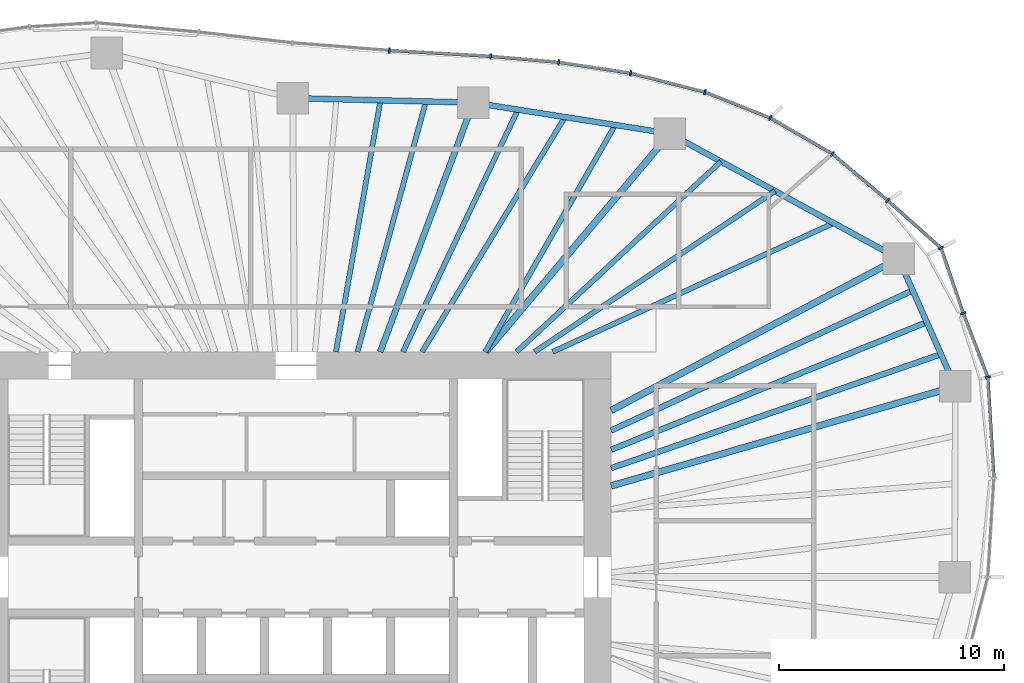
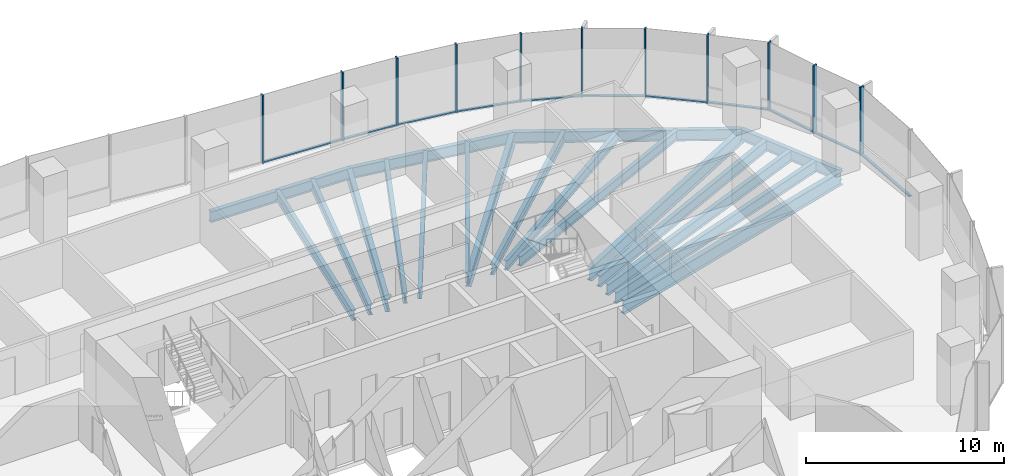
# One storey, part 6 of 18: 22 members, 19 beams, 5 elements without a shape of their own.
"""IFC4 building model written with IfcOpenShell, lengths in metres."""

from ifc_helpers import new_model, si_unit, direction, frame, origin, origin_2d, place, context, subcontext, project, spatial, rectangle, i_section, extrude, material, material_profile, profile_set, type_object, element, aggregate, save


model = new_model("IFC4")

# Units and contexts
model_context = context("Model", 3, precision=1e-05, world=origin(), true_north=direction((0.0, 1.0)))
body_context = subcontext(model_context, "Body", "Model", "MODEL_VIEW")
ifc_project = project(units=[si_unit("LENGTHUNIT", "METRE"), si_unit("AREAUNIT", "SQUARE_METRE"), si_unit("VOLUMEUNIT", "CUBIC_METRE"), si_unit("PLANEANGLEUNIT", "RADIAN"), si_unit("MASSUNIT", "GRAM", prefix="KILO")], contexts=[model_context])

# Site, building, storey
site_placement = place(None, origin())
site = spatial("IfcSite", under=ifc_project, at=site_placement, CompositionType="ELEMENT")
building_placement = place(site_placement, origin())
building = spatial("IfcBuilding", under=site, at=building_placement, Name="Ghaith Harvest Tower", CompositionType="ELEMENT")
storey_placement = place(building_placement, frame((0.0, 0.0, 176.39990234375)))
storey = spatial("IfcBuildingStorey", under=building, at=storey_placement, Name="L38", CompositionType="ELEMENT", Elevation=176.39990234375)

# Curtain wall, members
ifc_material_1 = material(Name="Black anodised aluminium and fritted glass", Category="aluminium")
curtain_wall_type = type_object("IfcCurtainWallType", Name="CW-L CURTAIN WALL", PredefinedType="NOTDEFINED", material=ifc_material_1)
curtain_wall_1_placement = place(storey_placement, origin())
curtain_wall_1 = element("IfcCurtainWall", 1, at=curtain_wall_1_placement, inside=storey, type_object=curtain_wall_type, Name="Curtain wall CW-L bay 02 L38", PredefinedType="NOTDEFINED")
ifc_material_2 = material(Name="Aluminium, black anodised", Category="aluminium")
ifc_material_profile_1 = material_profile(ifc_material_2, rectangle(XDim=0.080078125, YDim=0.239990234375, at=origin_2d()), Name="CW-L MULLION 80x240")
ifc_profile_set_1 = profile_set([ifc_material_profile_1], Name="Aluminium, black anodised")
member_type_1 = type_object("IfcMemberType", Name="CW-L MULLION 80x240", PredefinedType="MULLION", material=ifc_profile_set_1)
member_1_placement = place(storey_placement, frame((30.727294921875, 8.880859375, 0.0), z_axis=(0.0, 0.0, 1.0), x_axis=(-0.183070248196, 0.983099834313, 0.0)))
member_1 = element("IfcMember", 2, at=member_1_placement, type_object=member_type_1, Name="CW-L mullion 1 bay 02 L38", PredefinedType="MULLION", context=body_context, shape_type="SweptSolid", body=[
    extrude(rectangle(XDim=0.080078125, YDim=0.239990234375, at=origin_2d()), origin(), (0.0, 0.0, 1.0), 4.2001953125),
])
member_2_placement = place(storey_placement, frame((29.634521484375, 11.7158203125, 0.0), z_axis=(0.0, 0.0, 1.0), x_axis=(-0.340771198528, 0.940146260033, 0.0)))
member_2 = element("IfcMember", 3, at=member_2_placement, type_object=member_type_1, Name="CW-L mullion 2 bay 02 L38", PredefinedType="MULLION", context=body_context, shape_type="SweptSolid", body=[
    extrude(rectangle(XDim=0.080078125, YDim=0.239990234375, at=origin_2d()), origin(), (0.0, 0.0, 1.0), 4.2001953125),
])
member_3_placement = place(storey_placement, frame((28.64990234375, 14.61181640625, 0.0), z_axis=(0.0, 0.0, 1.0), x_axis=(-0.556324287652, 0.830965274225, 0.0)))
member_3 = element("IfcMember", 4, at=member_3_placement, type_object=member_type_1, Name="CW-L mullion 3 bay 02 L38", PredefinedType="MULLION", context=body_context, shape_type="SweptSolid", body=[
    extrude(rectangle(XDim=0.080078125, YDim=0.239990234375, at=origin_2d()), origin(), (0.0, 0.0, 1.0), 4.2001953125),
])

curtain_wall_2_placement = place(storey_placement, origin())
curtain_wall_2 = element("IfcCurtainWall", 5, at=curtain_wall_2_placement, inside=storey, type_object=curtain_wall_type, Name="Curtain wall CW-L bay 03 L38", PredefinedType="NOTDEFINED")
member_4_placement = place(storey_placement, frame((26.28076171875, 16.725341796875, 0.0), z_axis=(0.0, 0.0, 1.0), x_axis=(-0.755999423268, 0.654572281737, 0.0)))
member_4 = element("IfcMember", 6, at=member_4_placement, type_object=member_type_1, Name="CW-L mullion 1 bay 03 L38", PredefinedType="MULLION", context=body_context, shape_type="SweptSolid", body=[
    extrude(rectangle(XDim=0.080078125, YDim=0.239990234375, at=origin_2d()), origin(), (0.0, 0.0, 1.0), 4.2001953125),
])
member_5_placement = place(storey_placement, frame((23.82177734375, 18.792236328125, 0.0), z_axis=(0.0, 0.0, 1.0), x_axis=(-0.818228862146, 0.574892624018, 0.0)))
member_5 = element("IfcMember", 7, at=member_5_placement, type_object=member_type_1, Name="CW-L mullion 2 bay 03 L38", PredefinedType="MULLION", context=body_context, shape_type="SweptSolid", body=[
    extrude(rectangle(XDim=0.080078125, YDim=0.239990234375, at=origin_2d()), origin(), (0.0, 0.0, 1.0), 4.2001953125),
])
member_6_placement = place(storey_placement, frame((21.066162109375, 20.38916015625, 0.0), z_axis=(0.0, 0.0, 1.0), x_axis=(-0.899713343282, 0.436481270985, 0.0)))
member_6 = element("IfcMember", 8, at=member_6_placement, type_object=member_type_1, Name="CW-L mullion 3 bay 03 L38", PredefinedType="MULLION", context=body_context, shape_type="SweptSolid", body=[
    extrude(rectangle(XDim=0.080078125, YDim=0.239990234375, at=origin_2d()), origin(), (0.0, 0.0, 1.0), 4.2001953125),
])

curtain_wall_3_placement = place(storey_placement, origin())
curtain_wall_3 = element("IfcCurtainWall", 9, at=curtain_wall_3_placement, inside=storey, type_object=curtain_wall_type, Name="Curtain wall CW-L bay 04 L38", PredefinedType="NOTDEFINED")
member_7_placement = place(storey_placement, frame((18.162353515625, 21.537841796875, 0.0), z_axis=(0.0, 0.0, 1.0), x_axis=(-0.952152258113, 0.30562407852, 0.0)))
member_7 = element("IfcMember", 10, at=member_7_placement, type_object=member_type_1, Name="CW-L mullion 1 bay 04 L38", PredefinedType="MULLION", context=body_context, shape_type="SweptSolid", body=[
    extrude(rectangle(XDim=0.080078125, YDim=0.239990234375, at=origin_2d()), origin(), (0.0, 0.0, 1.0), 4.2001953125),
])
member_8_placement = place(storey_placement, frame((14.86474609375, 22.379638671875, 0.0), z_axis=(0.0, 0.0, 1.0), x_axis=(-0.979751952122, 0.200215165041, 0.0)))
member_8 = element("IfcMember", 11, at=member_8_placement, type_object=member_type_1, Name="CW-L mullion 2 bay 04 L38", PredefinedType="MULLION", context=body_context, shape_type="SweptSolid", body=[
    extrude(rectangle(XDim=0.080078125, YDim=0.239990234375, at=origin_2d()), origin(), (0.0, 0.0, 1.0), 4.2001953125),
])
member_9_placement = place(storey_placement, frame((11.672607421875, 22.864013671875, 0.0), z_axis=(0.0, 0.0, 1.0), x_axis=(-0.992800497873, 0.119779678673, 0.0)))
member_9 = element("IfcMember", 12, at=member_9_placement, type_object=member_type_1, Name="CW-L mullion 3 bay 04 L38", PredefinedType="MULLION", context=body_context, shape_type="SweptSolid", body=[
    extrude(rectangle(XDim=0.080078125, YDim=0.239990234375, at=origin_2d()), origin(), (0.0, 0.0, 1.0), 4.2001953125),
])

curtain_wall_4_placement = place(storey_placement, origin())
curtain_wall_4 = element("IfcCurtainWall", 13, at=curtain_wall_4_placement, inside=storey, type_object=curtain_wall_type, Name="Curtain wall CW-L bay 05 L38", PredefinedType="NOTDEFINED")
member_10_placement = place(storey_placement, frame((8.646728515625, 23.1298828125, 0.0), z_axis=(0.0, 0.0, 1.0), x_axis=(-0.997558767319, 0.069831982257, 0.0)))
member_10 = element("IfcMember", 14, at=member_10_placement, type_object=member_type_1, Name="CW-L mullion 1 bay 05 L38", PredefinedType="MULLION", context=body_context, shape_type="SweptSolid", body=[
    extrude(rectangle(XDim=0.080078125, YDim=0.239990234375, at=origin_2d()), origin(), (0.0, 0.0, 1.0), 4.2001953125),
])
member_11_placement = place(storey_placement, frame((4.146728515625, 23.390869140625, 0.0), z_axis=(0.0, 0.0, 1.0), x_axis=(-0.997689895047, 0.067932858925, 0.0)))
member_11 = element("IfcMember", 15, at=member_11_placement, type_object=member_type_1, Name="CW-L mullion 2 bay 05 L38", PredefinedType="MULLION", context=body_context, shape_type="SweptSolid", body=[
    extrude(rectangle(XDim=0.080078125, YDim=0.239990234375, at=origin_2d()), origin(), (0.0, 0.0, 1.0), 4.2001953125),
])

# Curtain wall, member
curtain_wall_5_placement = place(storey_placement, origin())
curtain_wall_5 = element("IfcCurtainWall", 16, at=curtain_wall_5_placement, inside=storey, type_object=curtain_wall_type, Name="Curtain wall CW-L bay 01 L38", PredefinedType="NOTDEFINED")
ifc_material_3 = material(Name="Aluminium, black anodised", Category="aluminium")
ifc_material_profile_2 = material_profile(ifc_material_3, rectangle(XDim=0.14990234375, YDim=0.080078125, at=origin_2d()), Name="CW-L TRANSOM 150x80")
ifc_profile_set_2 = profile_set([ifc_material_profile_2], Name="Aluminium, black anodised")
member_type_2 = type_object("IfcMemberType", Name="CW-L TRANSOM 150x80", PredefinedType="USERDEFINED", material=ifc_profile_set_2)
member_12_placement = place(storey_placement, frame((30.996337890625, 4.4296875, 0.0400390625), z_axis=(-0.060328261132, 0.99817859169, 0.0), x_axis=(-0.99817859169, -0.060328261132, 0.0)))
member_12 = element("IfcMember", 17, at=member_12_placement, type_object=member_type_2, Name="CW-L transom 2 bay 01 L38", ObjectType="TRANSOM", PredefinedType="USERDEFINED", context=body_context, shape_type="SweptSolid", body=[
    extrude(rectangle(XDim=0.14990234375, YDim=0.080078125, at=origin_2d()), origin(), (0.0, 0.0, 1.0), 4.419189453125),
])
aggregate(curtain_wall_5, [member_12])

# Member
member_13_placement = place(storey_placement, frame((30.712890625, 8.918212890625, 0.0400390625), z_axis=(-0.359637050526, 0.933092274048, 0.0), x_axis=(-0.933092274048, -0.359637050526, 0.0)))
member_13 = element("IfcMember", 18, at=member_13_placement, type_object=member_type_2, Name="CW-L transom 1 bay 02 L38", ObjectType="TRANSOM", PredefinedType="USERDEFINED", context=body_context, shape_type="SweptSolid", body=[
    extrude(rectangle(XDim=0.14990234375, YDim=0.080078125, at=origin_2d()), origin(), (0.0, 0.0, 1.0), 2.95849609375),
])

member_14_placement = place(storey_placement, frame((29.62158203125, 11.75390625, 0.0400390625), z_axis=(-0.321877752664, 0.946781237847, 0.0), x_axis=(-0.946781237847, -0.321877752664, 0.0)))
member_14 = element("IfcMember", 19, at=member_14_placement, type_object=member_type_2, Name="CW-L transom 2 bay 02 L38", ObjectType="TRANSOM", PredefinedType="USERDEFINED", context=body_context, shape_type="SweptSolid", body=[
    extrude(rectangle(XDim=0.14990234375, YDim=0.080078125, at=origin_2d()), origin(), (0.0, 0.0, 1.0), 2.978515625),
])

member_15_placement = place(storey_placement, frame((28.6201171875, 14.638427734375, 0.0400390625), z_axis=(-0.74622871112, 0.665689650438, 0.0), x_axis=(-0.665689650438, -0.74622871112, 0.0)))
member_15 = element("IfcMember", 20, at=member_15_placement, type_object=member_type_2, Name="CW-L transom 3 bay 02 L38", ObjectType="TRANSOM", PredefinedType="USERDEFINED", context=body_context, shape_type="SweptSolid", body=[
    extrude(rectangle(XDim=0.14990234375, YDim=0.080078125, at=origin_2d()), origin(), (0.0, 0.0, 1.0), 3.094970703125),
])

aggregate(curtain_wall_1, [member_1, member_13, member_2, member_14, member_3, member_15])

member_16_placement = place(storey_placement, frame((26.25, 16.7509765625, 0.0400390625), z_axis=(-0.765428400685, 0.643521066808, 0.0), x_axis=(-0.643521066808, -0.765428400685, 0.0)))
member_16 = element("IfcMember", 21, at=member_16_placement, type_object=member_type_2, Name="CW-L transom 1 bay 03 L38", ObjectType="TRANSOM", PredefinedType="USERDEFINED", context=body_context, shape_type="SweptSolid", body=[
    extrude(rectangle(XDim=0.14990234375, YDim=0.080078125, at=origin_2d()), origin(), (0.0, 0.0, 1.0), 3.132080078125),
])

member_17_placement = place(storey_placement, frame((23.787353515625, 18.812255859375, 0.0400390625), z_axis=(-0.865212673937, 0.50140505468, 0.0), x_axis=(-0.50140505468, -0.865212673937, 0.0)))
member_17 = element("IfcMember", 22, at=member_17_placement, type_object=member_type_2, Name="CW-L transom 2 bay 03 L38", ObjectType="TRANSOM", PredefinedType="USERDEFINED", context=body_context, shape_type="SweptSolid", body=[
    extrude(rectangle(XDim=0.14990234375, YDim=0.080078125, at=origin_2d()), origin(), (0.0, 0.0, 1.0), 3.10498046875),
])

member_18_placement = place(storey_placement, frame((21.029052734375, 20.40380859375, 0.0400390625), z_axis=(-0.929880954826, 0.367860584804, 0.0), x_axis=(-0.367860584804, -0.929880954826, 0.0)))
member_18 = element("IfcMember", 23, at=member_18_placement, type_object=member_type_2, Name="CW-L transom 3 bay 03 L38", ObjectType="TRANSOM", PredefinedType="USERDEFINED", context=body_context, shape_type="SweptSolid", body=[
    extrude(rectangle(XDim=0.14990234375, YDim=0.080078125, at=origin_2d()), origin(), (0.0, 0.0, 1.0), 3.04296875),
])

aggregate(curtain_wall_2, [member_4, member_16, member_5, member_17, member_6, member_18])

member_19_placement = place(storey_placement, frame((18.12353515625, 21.5478515625, 0.0400390625), z_axis=(-0.968942433805, 0.247286392614, 0.0), x_axis=(-0.247286392614, -0.968942433805, 0.0)))
member_19 = element("IfcMember", 24, at=member_19_placement, type_object=member_type_2, Name="CW-L transom 1 bay 04 L38", ObjectType="TRANSOM", PredefinedType="USERDEFINED", context=body_context, shape_type="SweptSolid", body=[
    extrude(rectangle(XDim=0.14990234375, YDim=0.080078125, at=origin_2d()), origin(), (0.0, 0.0, 1.0), 3.3232421875),
])

member_20_placement = place(storey_placement, frame((14.8251953125, 22.3857421875, 0.0400390625), z_axis=(-0.988680676153, 0.150035064572, 0.0), x_axis=(-0.150035064572, -0.988680676153, 0.0)))
member_20 = element("IfcMember", 25, at=member_20_placement, type_object=member_type_2, Name="CW-L transom 2 bay 04 L38", ObjectType="TRANSOM", PredefinedType="USERDEFINED", context=body_context, shape_type="SweptSolid", body=[
    extrude(rectangle(XDim=0.14990234375, YDim=0.080078125, at=origin_2d()), origin(), (0.0, 0.0, 1.0), 3.148681640625),
])

member_21_placement = place(storey_placement, frame((11.632568359375, 22.86767578125, 0.0400390625), z_axis=(-0.996171193061, 0.087423990507, 0.0), x_axis=(-0.087423990507, -0.996171193061, 0.0)))
member_21 = element("IfcMember", 26, at=member_21_placement, type_object=member_type_2, Name="CW-L transom 3 bay 04 L38", ObjectType="TRANSOM", PredefinedType="USERDEFINED", context=body_context, shape_type="SweptSolid", body=[
    extrude(rectangle(XDim=0.14990234375, YDim=0.080078125, at=origin_2d()), origin(), (0.0, 0.0, 1.0), 2.957275390625),
])

aggregate(curtain_wall_3, [member_7, member_19, member_8, member_20, member_9, member_21])

member_22_placement = place(storey_placement, frame((8.60693359375, 23.132080078125, 0.0400390625), z_axis=(-0.998319515187, 0.057949509028, 0.0), x_axis=(-0.057949509028, -0.998319515187, 0.0)))
member_22 = element("IfcMember", 27, at=member_22_placement, type_object=member_type_2, Name="CW-L transom 1 bay 05 L38", ObjectType="TRANSOM", PredefinedType="USERDEFINED", context=body_context, shape_type="SweptSolid", body=[
    extrude(rectangle(XDim=0.14990234375, YDim=0.080078125, at=origin_2d()), origin(), (0.0, 0.0, 1.0), 4.427734375),
])

aggregate(curtain_wall_4, [member_10, member_22, member_11])

# Beams
ifc_material_4 = material(Name="Steel ASTM A992 Grade 50", Category="steel")
ifc_material_profile_3 = material_profile(ifc_material_4, i_section(OverallWidth=0.25390625, OverallDepth=0.68408203125, WebThickness=0.012451171875, FlangeThickness=0.018798828125, at=origin_2d()), Name="W690X140")
ifc_profile_set_3 = profile_set([ifc_material_profile_3], Name="Steel ASTM A992 Grade 50")
beam_type_1 = type_object("IfcBeamType", Name="E690-140 W690X140", PredefinedType="SPANDREL", material=ifc_profile_set_3)
beam_1_placement = place(storey_placement, frame((29.285888671875, 8.464111328125, -0.511962890625), z_axis=(-0.405635615749, 0.914034872002, 0.0), x_axis=(-0.914034872002, -0.405635615749, 0.0)))
element("IfcBeam", 28, at=beam_1_placement, inside=storey, type_object=beam_type_1, Name="Edge beam E02 L38", PredefinedType="SPANDREL", context=body_context, shape_type="SweptSolid", body=[
    extrude(i_section(OverallWidth=0.25390625, OverallDepth=0.68408203125, WebThickness=0.012451171875, FlangeThickness=0.018798828125, at=origin_2d()), origin(), (0.0, 0.0, 1.0), 6.21728515625),
])
beam_2_placement = place(storey_placement, frame((26.763916015625, 14.14697265625, -0.511962890625), z_axis=(-0.877588218279, 0.479415184509, 0.0), x_axis=(-0.479415184509, -0.877588218279, 0.0)))
element("IfcBeam", 29, at=beam_2_placement, inside=storey, type_object=beam_type_1, Name="Edge beam E03 L38", PredefinedType="SPANDREL", context=body_context, shape_type="SweptSolid", body=[
    extrude(i_section(OverallWidth=0.25390625, OverallDepth=0.68408203125, WebThickness=0.012451171875, FlangeThickness=0.018798828125, at=origin_2d()), origin(), (0.0, 0.0, 1.0), 11.57275390625),
])
beam_3_placement = place(storey_placement, frame((16.60791015625, 19.695068359375, -0.511962890625), z_axis=(-0.987788485872, 0.155800857439, 0.0), x_axis=(-0.155800857439, -0.987788485872, 0.0)))
element("IfcBeam", 30, at=beam_3_placement, inside=storey, type_object=beam_type_1, Name="Edge beam E04 L38", PredefinedType="SPANDREL", context=body_context, shape_type="SweptSolid", body=[
    extrude(i_section(OverallWidth=0.25390625, OverallDepth=0.68408203125, WebThickness=0.012451171875, FlangeThickness=0.018798828125, at=origin_2d()), origin(), (0.0, 0.0, 1.0), 8.837890625),
])
beam_4_placement = place(storey_placement, frame((7.8779296875, 21.072021484375, -0.511962890625), z_axis=(-0.999692679676, 0.024790042413, 0.0), x_axis=(-0.024790042413, -0.999692679676, 0.0)))
element("IfcBeam", 31, at=beam_4_placement, inside=storey, type_object=beam_type_1, Name="Edge beam E05 L38", PredefinedType="SPANDREL", context=body_context, shape_type="SweptSolid", body=[
    extrude(i_section(OverallWidth=0.25390625, OverallDepth=0.68408203125, WebThickness=0.012451171875, FlangeThickness=0.018798828125, at=origin_2d()), origin(), (0.0, 0.0, 1.0), 8.0263671875),
])
ifc_material_5 = material(Name="Steel ASTM A992 Grade 50", Category="steel")
ifc_material_profile_4 = material_profile(ifc_material_5, i_section(OverallWidth=0.26806640625, OverallDepth=0.77001953125, WebThickness=0.015625, FlangeThickness=0.025390625, at=origin_2d()), Name="W760X196")
ifc_profile_set_4 = profile_set([ifc_material_profile_4], Name="Steel ASTM A992 Grade 50")
beam_type_2 = type_object("IfcBeamType", Name="G760-196 W760X196", PredefinedType="BEAM", material=ifc_profile_set_4)
beam_5_placement = place(storey_placement, frame((3.73828125, 10.0, -0.554931640625), z_axis=(0.350206582147, 0.936672488024, 0.0), x_axis=(-0.936672488024, 0.350206582147, 0.0)))
element("IfcBeam", 32, at=beam_5_placement, inside=storey, type_object=beam_type_2, Name="Radial girder G05 L38", PredefinedType="BEAM", context=body_context, shape_type="SweptSolid", body=[
    extrude(i_section(OverallWidth=0.26806640625, OverallDepth=0.77001953125, WebThickness=0.015625, FlangeThickness=0.025390625, at=origin_2d()), origin(), (0.0, 0.0, 1.0), 11.820556640625),
])
ifc_material_6 = material(Name="Steel ASTM A992 Grade 50", Category="steel")
ifc_material_profile_5 = material_profile(ifc_material_6, i_section(OverallWidth=0.2939453125, OverallDepth=0.85107421875, WebThickness=0.01611328125, FlangeThickness=0.02685546875, at=origin_2d()), Name="W840X226")
ifc_profile_set_5 = profile_set([ifc_material_profile_5], Name="Steel ASTM A992 Grade 50")
beam_type_3 = type_object("IfcBeamType", Name="G840-226 W840X226", PredefinedType="BEAM", material=ifc_profile_set_5)
beam_6_placement = place(storey_placement, frame((14.0, 4.04638671875, -0.595458984375), z_axis=(0.960683993303, 0.27764413376, 0.0), x_axis=(-0.27764413376, 0.960683993303, 0.0)))
element("IfcBeam", 33, at=beam_6_placement, inside=storey, type_object=beam_type_3, Name="Radial girder G02 L38", PredefinedType="BEAM", context=body_context, shape_type="SweptSolid", body=[
    extrude(i_section(OverallWidth=0.2939453125, OverallDepth=0.85107421875, WebThickness=0.01611328125, FlangeThickness=0.02685546875, at=origin_2d()), origin(), (0.0, 0.0, 1.0), 15.911376953125),
])
beam_7_placement = place(storey_placement, frame((14.0, 7.39990234375, -0.595458984375), z_axis=(0.884082663971, 0.467330550324, 0.0), x_axis=(-0.467330550324, 0.884082663971, 0.0)))
element("IfcBeam", 34, at=beam_7_placement, inside=storey, type_object=beam_type_3, Name="Radial girder G03 L38", PredefinedType="BEAM", context=body_context, shape_type="SweptSolid", body=[
    extrude(i_section(OverallWidth=0.2939453125, OverallDepth=0.85107421875, WebThickness=0.01611328125, FlangeThickness=0.02685546875, at=origin_2d()), origin(), (0.0, 0.0, 1.0), 14.4375),
])
beam_8_placement = place(storey_placement, frame((8.4326171875, 10.0, -0.595458984375), z_axis=(0.644644245772, 0.764482698557, 0.0), x_axis=(-0.764482698557, 0.644644245772, 0.0)))
element("IfcBeam", 35, at=beam_8_placement, inside=storey, type_object=beam_type_3, Name="Radial girder G04 L38", PredefinedType="BEAM", context=body_context, shape_type="SweptSolid", body=[
    extrude(i_section(OverallWidth=0.2939453125, OverallDepth=0.85107421875, WebThickness=0.01611328125, FlangeThickness=0.02685546875, at=origin_2d()), origin(), (0.0, 0.0, 1.0), 12.681884765625),
])
ifc_material_7 = material(Name="Steel ASTM A992 Grade 50", Category="steel")
ifc_material_profile_6 = material_profile(ifc_material_7, i_section(OverallWidth=0.22900390625, OverallDepth=0.612060546875, WebThickness=0.011962890625, FlangeThickness=0.01953125, at=origin_2d()), Name="W610X125")
ifc_profile_set_6 = profile_set([ifc_material_profile_6], Name="Steel ASTM A992 Grade 50")
beam_type_4 = type_object("IfcBeamType", Name="J610-125 W610X125", PredefinedType="JOIST", material=ifc_profile_set_6)
beam_9_placement = place(storey_placement, frame((11.39990234375, 10.0, -0.475830078125), z_axis=(0.909014022454, 0.416765529983, 0.0), x_axis=(-0.416765529983, 0.909014022454, 0.0)))
element("IfcBeam", 36, at=beam_9_placement, inside=storey, type_object=beam_type_4, Name="Joist J03.1 L38", PredefinedType="JOIST", context=body_context, shape_type="SweptSolid", body=[
    extrude(i_section(OverallWidth=0.22900390625, OverallDepth=0.612060546875, WebThickness=0.011962890625, FlangeThickness=0.01953125, at=origin_2d()), origin(), (0.0, 0.0, 1.0), 13.72998046875),
])
beam_10_placement = place(storey_placement, frame((10.60009765625, 10.0, -0.475830078125), z_axis=(0.831116486766, 0.556098359489, 0.0), x_axis=(-0.556098359489, 0.831116486766, 0.0)))
element("IfcBeam", 37, at=beam_10_placement, inside=storey, type_object=beam_type_4, Name="Joist J03.2 L38", PredefinedType="JOIST", context=body_context, shape_type="SweptSolid", body=[
    extrude(i_section(OverallWidth=0.22900390625, OverallDepth=0.612060546875, WebThickness=0.011962890625, FlangeThickness=0.01953125, at=origin_2d()), origin(), (0.0, 0.0, 1.0), 12.84716796875),
])
beam_11_placement = place(storey_placement, frame((9.800048828125, 10.0, -0.475830078125), z_axis=(0.731538123562, 0.681800538116, 0.0), x_axis=(-0.681800538116, 0.731538123562, 0.0)))
element("IfcBeam", 38, at=beam_11_placement, inside=storey, type_object=beam_type_4, Name="Joist J03.3 L38", PredefinedType="JOIST", context=body_context, shape_type="SweptSolid", body=[
    extrude(i_section(OverallWidth=0.22900390625, OverallDepth=0.612060546875, WebThickness=0.011962890625, FlangeThickness=0.01953125, at=origin_2d()), origin(), (0.0, 0.0, 1.0), 12.404052734375),
])
beam_12_placement = place(storey_placement, frame((8.39990234375, 10.0, -0.475830078125), z_axis=(0.497444212127, 0.867495968764, 0.0), x_axis=(-0.867495968764, 0.497444212127, 0.0)))
element("IfcBeam", 39, at=beam_12_placement, inside=storey, type_object=beam_type_4, Name="Joist J04.1 L38", PredefinedType="JOIST", context=body_context, shape_type="SweptSolid", body=[
    extrude(i_section(OverallWidth=0.22900390625, OverallDepth=0.612060546875, WebThickness=0.011962890625, FlangeThickness=0.01953125, at=origin_2d()), origin(), (0.0, 0.0, 1.0), 11.617431640625),
])
beam_13_placement = place(storey_placement, frame((5.60009765625, 10.0, -0.475830078125), z_axis=(0.519863845761, 0.854249133374, 0.0), x_axis=(-0.854249133374, 0.519863845761, 0.0)))
element("IfcBeam", 40, at=beam_13_placement, inside=storey, type_object=beam_type_4, Name="Joist J04.2 L38", PredefinedType="JOIST", context=body_context, shape_type="SweptSolid", body=[
    extrude(i_section(OverallWidth=0.22900390625, OverallDepth=0.612060546875, WebThickness=0.011962890625, FlangeThickness=0.01953125, at=origin_2d()), origin(), (0.0, 0.0, 1.0), 12.209716796875),
])
beam_14_placement = place(storey_placement, frame((4.75, 10.0, -0.475830078125), z_axis=(0.429069356877, 0.903271546651, 0.0), x_axis=(-0.903271546651, 0.429069356877, 0.0)))
element("IfcBeam", 41, at=beam_14_placement, inside=storey, type_object=beam_type_4, Name="Joist J04.3 L38", PredefinedType="JOIST", context=body_context, shape_type="SweptSolid", body=[
    extrude(i_section(OverallWidth=0.22900390625, OverallDepth=0.612060546875, WebThickness=0.011962890625, FlangeThickness=0.01953125, at=origin_2d()), origin(), (0.0, 0.0, 1.0), 11.911376953125),
])
beam_15_placement = place(storey_placement, frame((2.73095703125, 10.0, -0.475830078125), z_axis=(0.263455967932, 0.964671422279, 0.0), x_axis=(-0.964671422279, 0.263455967932, 0.0)))
element("IfcBeam", 42, at=beam_15_placement, inside=storey, type_object=beam_type_4, Name="Joist J05.1 L38", PredefinedType="JOIST", context=body_context, shape_type="SweptSolid", body=[
    extrude(i_section(OverallWidth=0.22900390625, OverallDepth=0.612060546875, WebThickness=0.011962890625, FlangeThickness=0.01953125, at=origin_2d()), origin(), (0.0, 0.0, 1.0), 11.53173828125),
])
beam_16_placement = place(storey_placement, frame((1.772705078125, 10.0, -0.475830078125), z_axis=(0.17455599258, 0.984647249249, 0.0), x_axis=(-0.984647249249, 0.17455599258, 0.0)))
element("IfcBeam", 43, at=beam_16_placement, inside=storey, type_object=beam_type_4, Name="Joist J05.2 L38", PredefinedType="JOIST", context=body_context, shape_type="SweptSolid", body=[
    extrude(i_section(OverallWidth=0.22900390625, OverallDepth=0.612060546875, WebThickness=0.011962890625, FlangeThickness=0.01953125, at=origin_2d()), origin(), (0.0, 0.0, 1.0), 11.3486328125),
])
ifc_material_8 = material(Name="Steel ASTM A992 Grade 50", Category="steel")
ifc_material_profile_7 = material_profile(ifc_material_8, i_section(OverallWidth=0.25390625, OverallDepth=0.68408203125, WebThickness=0.012451171875, FlangeThickness=0.018798828125, at=origin_2d()), Name="W690X140")
ifc_profile_set_7 = profile_set([ifc_material_profile_7], Name="Steel ASTM A992 Grade 50")
beam_type_5 = type_object("IfcBeamType", Name="J690-140 W690X140", PredefinedType="JOIST", material=ifc_profile_set_7)
beam_17_placement = place(storey_placement, frame((14.0, 4.835693359375, -0.511962890625), z_axis=(0.945204964965, 0.32647752481, 0.0), x_axis=(-0.32647752481, 0.945204964965, 0.0)))
element("IfcBeam", 44, at=beam_17_placement, inside=storey, type_object=beam_type_5, Name="Joist J02.1 L38", PredefinedType="JOIST", context=body_context, shape_type="SweptSolid", body=[
    extrude(i_section(OverallWidth=0.25390625, OverallDepth=0.68408203125, WebThickness=0.012451171875, FlangeThickness=0.018798828125, at=origin_2d()), origin(), (0.0, 0.0, 1.0), 15.499755859375),
])
beam_18_placement = place(storey_placement, frame((14.0, 5.653564453125, -0.511962890625), z_axis=(0.927247874511, 0.374448099495, 0.0), x_axis=(-0.374448099495, 0.927247874511, 0.0)))
element("IfcBeam", 45, at=beam_18_placement, inside=storey, type_object=beam_type_5, Name="Joist J02.2 L38", PredefinedType="JOIST", context=body_context, shape_type="SweptSolid", body=[
    extrude(i_section(OverallWidth=0.25390625, OverallDepth=0.68408203125, WebThickness=0.012451171875, FlangeThickness=0.018798828125, at=origin_2d()), origin(), (0.0, 0.0, 1.0), 15.12060546875),
])
beam_19_placement = place(storey_placement, frame((14.0, 6.506103515625, -0.511962890625), z_axis=(0.906865717917, 0.42141970726, 0.0), x_axis=(-0.42141970726, 0.906865717917, 0.0)))
element("IfcBeam", 46, at=beam_19_placement, inside=storey, type_object=beam_type_5, Name="Joist J02.3 L38", PredefinedType="JOIST", context=body_context, shape_type="SweptSolid", body=[
    extrude(i_section(OverallWidth=0.25390625, OverallDepth=0.68408203125, WebThickness=0.012451171875, FlangeThickness=0.018798828125, at=origin_2d()), origin(), (0.0, 0.0, 1.0), 14.768310546875),
])

save(model, "model.ifc")
